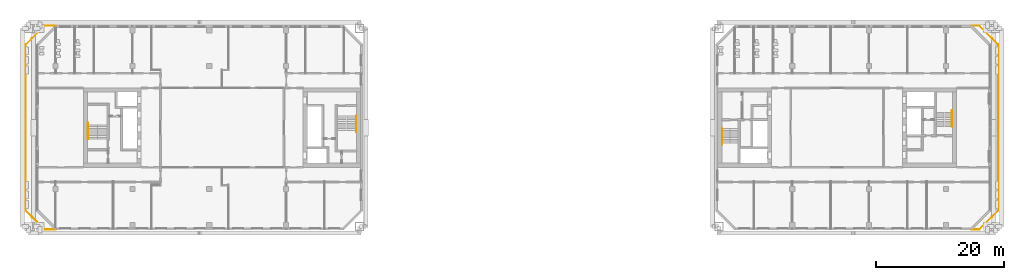
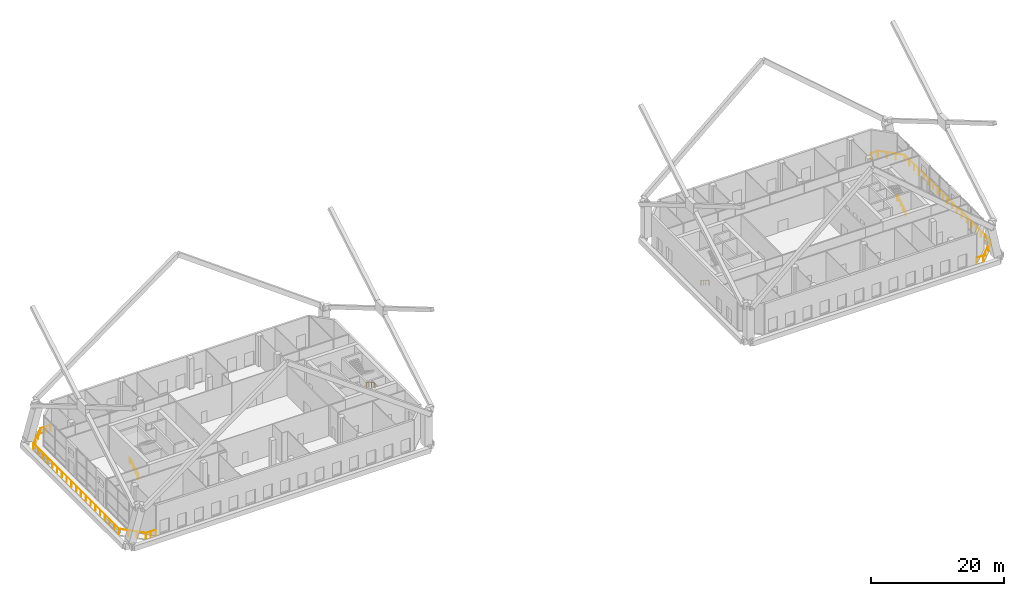
# One storey, part 19 of 20: 6 railings.
"""IFC4 building model written with IfcOpenShell, lengths in metres."""

from ifc_helpers import new_model, si_unit, direction, frame, origin, origin_2d, place, context, subcontext, project, spatial, circle, extrude, material, type_object, element, save


model = new_model("IFC4")

# Units and contexts
model_context = context("Model", 3, precision=1e-05, world=origin(), true_north=direction((0.0, 1.0)))
body_context = subcontext(model_context, "Body", "Model", "MODEL_VIEW")
ifc_project = project(units=[si_unit("LENGTHUNIT", "METRE"), si_unit("AREAUNIT", "SQUARE_METRE"), si_unit("VOLUMEUNIT", "CUBIC_METRE"), si_unit("PLANEANGLEUNIT", "RADIAN"), si_unit("MASSUNIT", "GRAM", prefix="KILO")], contexts=[model_context])

# Site, building, storey
site_placement = place(None, origin())
site = spatial("IfcSite", under=ifc_project, at=site_placement, CompositionType="ELEMENT")
building_placement = place(site_placement, origin())
building = spatial("IfcBuilding", under=site, at=building_placement, Name="Tuart Gate Housing", CompositionType="ELEMENT")
storey_placement = place(building_placement, frame((0.0, 0.0, 90.199951171875)))
storey = spatial("IfcBuildingStorey", under=building, at=storey_placement, Name="L25", CompositionType="ELEMENT", Elevation=90.199951171875)

# Railings
ifc_material_1 = material(Name="Stainless steel", Category="steel")
railing_type_1 = type_object("IfcRailingType", Name="Stair handrail 900", PredefinedType="HANDRAIL", material=ifc_material_1)
railing_1_placement = place(storey_placement, frame((74.929931640625, 71.800048828125, 0.17236328125)))
element("IfcRailing", 1, at=railing_1_placement, inside=storey, type_object=railing_type_1, Name="Stair handrail SA1.1", PredefinedType="HANDRAIL", context=body_context, shape_type="SweptSolid", body=[
    extrude(circle(Radius=0.02392578125, at=origin_2d()), frame((0.0, 0.0, 0.8759765625), z_axis=(0.0, -0.85178898068, 0.523885037382), x_axis=(1.0, 0.0, 0.0)), (0.0, 0.0, 1.0), 2.629638671875),
    extrude(circle(Radius=0.02392578125, at=origin_2d()), frame((0.0, -2.239990234375, 2.25341796875), z_axis=(0.0, -1.0, 0.0), x_axis=(1.0, 0.0, 0.0)), (0.0, 0.0, 1.0), 0.300048828125),
    extrude(circle(Radius=0.02099609375, at=origin_2d()), origin(), (0.0, 0.0, 1.0), 0.851806640625),
    extrude(circle(Radius=0.02099609375, at=origin_2d()), frame((0.0, -0.74658203125, 0.459228515625)), (0.0, 0.0, 1.0), 0.851806640625),
    extrude(circle(Radius=0.02099609375, at=origin_2d()), frame((0.0, -1.493408203125, 0.91845703125)), (0.0, 0.0, 1.0), 0.851806640625),
    extrude(circle(Radius=0.02099609375, at=origin_2d()), frame((0.0, -2.239990234375, 1.377685546875)), (0.0, 0.0, 1.0), 0.851806640625),
    extrude(circle(Radius=0.02099609375, at=origin_2d()), frame((0.0, -2.5400390625, 1.377685546875)), (0.0, 0.0, 1.0), 0.851806640625),
])
railing_2_placement = place(storey_placement, frame((33.070068359375, 68.199951171875, 0.17236328125)))
element("IfcRailing", 2, at=railing_2_placement, inside=storey, type_object=railing_type_1, Name="Stair handrail SA2.1", PredefinedType="HANDRAIL", context=body_context, shape_type="SweptSolid", body=[
    extrude(circle(Radius=0.02392578125, at=origin_2d()), frame((0.0, 0.0, 0.8759765625), z_axis=(0.0, 0.85178898068, 0.523885037382), x_axis=(-1.0, 0.0, 0.0)), (0.0, 0.0, 1.0), 2.629638671875),
    extrude(circle(Radius=0.02392578125, at=origin_2d()), frame((0.0, 2.239990234375, 2.25341796875), z_axis=(0.0, 1.0, 0.0), x_axis=(-1.0, 0.0, 0.0)), (0.0, 0.0, 1.0), 0.300048828125),
    extrude(circle(Radius=0.02099609375, at=origin_2d()), origin(), (0.0, 0.0, 1.0), 0.851806640625),
    extrude(circle(Radius=0.02099609375, at=origin_2d()), frame((0.0, 0.74658203125, 0.459228515625)), (0.0, 0.0, 1.0), 0.851806640625),
    extrude(circle(Radius=0.02099609375, at=origin_2d()), frame((0.0, 1.493408203125, 0.91845703125)), (0.0, 0.0, 1.0), 0.851806640625),
    extrude(circle(Radius=0.02099609375, at=origin_2d()), frame((0.0, 2.239990234375, 1.377685546875)), (0.0, 0.0, 1.0), 0.851806640625),
    extrude(circle(Radius=0.02099609375, at=origin_2d()), frame((0.0, 2.5400390625, 1.377685546875)), (0.0, 0.0, 1.0), 0.851806640625),
])
railing_3_placement = place(storey_placement, frame((132.070068359375, 69.85009765625, 0.17236328125)))
element("IfcRailing", 3, at=railing_3_placement, inside=storey, type_object=railing_type_1, Name="Stair handrail SB1.1", PredefinedType="HANDRAIL", context=body_context, shape_type="SweptSolid", body=[
    extrude(circle(Radius=0.02392578125, at=origin_2d()), frame((0.0, 0.0, 0.8759765625), z_axis=(0.0, -0.85178898068, 0.523885037382), x_axis=(1.0, 0.0, 0.0)), (0.0, 0.0, 1.0), 2.629638671875),
    extrude(circle(Radius=0.02392578125, at=origin_2d()), frame((0.0, -2.239990234375, 2.25341796875), z_axis=(0.0, -1.0, 0.0), x_axis=(1.0, 0.0, 0.0)), (0.0, 0.0, 1.0), 0.300048828125),
    extrude(circle(Radius=0.02099609375, at=origin_2d()), origin(), (0.0, 0.0, 1.0), 0.851806640625),
    extrude(circle(Radius=0.02099609375, at=origin_2d()), frame((0.0, -0.74658203125, 0.459228515625)), (0.0, 0.0, 1.0), 0.851806640625),
    extrude(circle(Radius=0.02099609375, at=origin_2d()), frame((0.0, -1.493408203125, 0.91845703125)), (0.0, 0.0, 1.0), 0.851806640625),
    extrude(circle(Radius=0.02099609375, at=origin_2d()), frame((0.0, -2.239990234375, 1.377685546875)), (0.0, 0.0, 1.0), 0.851806640625),
    extrude(circle(Radius=0.02099609375, at=origin_2d()), frame((0.0, -2.5400390625, 1.377685546875)), (0.0, 0.0, 1.0), 0.851806640625),
])
railing_4_placement = place(storey_placement, frame((167.929931640625, 70.14990234375, 0.17236328125)))
element("IfcRailing", 4, at=railing_4_placement, inside=storey, type_object=railing_type_1, Name="Stair handrail SB2.1", PredefinedType="HANDRAIL", context=body_context, shape_type="SweptSolid", body=[
    extrude(circle(Radius=0.02392578125, at=origin_2d()), frame((0.0, 0.0, 0.8759765625), z_axis=(0.0, 0.85178898068, 0.523885037382), x_axis=(-1.0, 0.0, 0.0)), (0.0, 0.0, 1.0), 2.629638671875),
    extrude(circle(Radius=0.02392578125, at=origin_2d()), frame((0.0, 2.239990234375, 2.25341796875), z_axis=(0.0, 1.0, 0.0), x_axis=(-1.0, 0.0, 0.0)), (0.0, 0.0, 1.0), 0.300048828125),
    extrude(circle(Radius=0.02099609375, at=origin_2d()), origin(), (0.0, 0.0, 1.0), 0.851806640625),
    extrude(circle(Radius=0.02099609375, at=origin_2d()), frame((0.0, 0.74658203125, 0.459228515625)), (0.0, 0.0, 1.0), 0.851806640625),
    extrude(circle(Radius=0.02099609375, at=origin_2d()), frame((0.0, 1.493408203125, 0.91845703125)), (0.0, 0.0, 1.0), 0.851806640625),
    extrude(circle(Radius=0.02099609375, at=origin_2d()), frame((0.0, 2.239990234375, 1.377685546875)), (0.0, 0.0, 1.0), 0.851806640625),
    extrude(circle(Radius=0.02099609375, at=origin_2d()), frame((0.0, 2.5400390625, 1.377685546875)), (0.0, 0.0, 1.0), 0.851806640625),
])
ifc_material_2 = material(Name="Steel and laminated glass", Category="steel")
railing_type_2 = type_object("IfcRailingType", Name="Terrace guard 1100", PredefinedType="GUARDRAIL", material=ifc_material_2)
railing_5_placement = place(storey_placement, frame((28.0, 85.89990234375, 0.0)))
element("IfcRailing", 5, at=railing_5_placement, inside=storey, type_object=railing_type_2, Name="Terrace guard A", PredefinedType="GUARDRAIL", context=body_context, shape_type="SweptSolid", body=[
    extrude(circle(Radius=0.02392578125, at=origin_2d()), frame((0.0, 0.0, 1.076171875), z_axis=(-1.0, 0.0, 0.0), x_axis=(0.0, -1.0, 0.0)), (0.0, 0.0, 1.0), 1.70849609375),
    extrude(circle(Radius=0.02392578125, at=origin_2d()), frame((-1.70849609375, 0.0, 1.076171875), z_axis=(-0.707106781187, -0.707106781187, 0.0), x_axis=(0.707106781187, -0.707106781187, 0.0)), (0.0, 0.0, 1.0), 4.15966796875),
    extrude(circle(Radius=0.02392578125, at=origin_2d()), frame((-4.64990234375, -2.94140625, 1.076171875), z_axis=(0.0, -1.0, 0.0), x_axis=(1.0, 0.0, 0.0)), (0.0, 0.0, 1.0), 25.9169921875),
    extrude(circle(Radius=0.02392578125, at=origin_2d()), frame((-4.64990234375, -28.8583984375, 1.076171875), z_axis=(0.707106781187, -0.707106781187, 0.0), x_axis=(0.707106781187, 0.707106781187, 0.0)), (0.0, 0.0, 1.0), 4.15966796875),
    extrude(circle(Radius=0.02392578125, at=origin_2d()), frame((-1.70849609375, -31.7998046875, 1.076171875), z_axis=(1.0, 0.0, 0.0), x_axis=(0.0, 1.0, 0.0)), (0.0, 0.0, 1.0), 1.70849609375),
    extrude(circle(Radius=0.02099609375, at=origin_2d()), origin(), (0.0, 0.0, 1.0), 1.052001953125),
    extrude(circle(Radius=0.02099609375, at=origin_2d()), frame((-0.854248046875, 0.0, 0.0)), (0.0, 0.0, 1.0), 1.052001953125),
    extrude(circle(Radius=0.02099609375, at=origin_2d()), frame((-1.70849609375, 0.0, 0.0)), (0.0, 0.0, 1.0), 1.052001953125),
    extrude(circle(Radius=0.02099609375, at=origin_2d()), frame((-2.68896484375, -0.98046875, 0.0)), (0.0, 0.0, 1.0), 1.052001953125),
    extrude(circle(Radius=0.02099609375, at=origin_2d()), frame((-3.66943359375, -1.9609375, 0.0)), (0.0, 0.0, 1.0), 1.052001953125),
    extrude(circle(Radius=0.02099609375, at=origin_2d()), frame((-4.64990234375, -2.94140625, 0.0)), (0.0, 0.0, 1.0), 1.052001953125),
    extrude(circle(Radius=0.02099609375, at=origin_2d()), frame((-4.64990234375, -4.38134765625, 0.0)), (0.0, 0.0, 1.0), 1.052001953125),
    extrude(circle(Radius=0.02099609375, at=origin_2d()), frame((-4.64990234375, -5.821044921875, 0.0)), (0.0, 0.0, 1.0), 1.052001953125),
    extrude(circle(Radius=0.02099609375, at=origin_2d()), frame((-4.64990234375, -7.260986328125, 0.0)), (0.0, 0.0, 1.0), 1.052001953125),
    extrude(circle(Radius=0.02099609375, at=origin_2d()), frame((-4.64990234375, -8.70068359375, 0.0)), (0.0, 0.0, 1.0), 1.052001953125),
    extrude(circle(Radius=0.02099609375, at=origin_2d()), frame((-4.64990234375, -10.140625, 0.0)), (0.0, 0.0, 1.0), 1.052001953125),
    extrude(circle(Radius=0.02099609375, at=origin_2d()), frame((-4.64990234375, -11.580322265625, 0.0)), (0.0, 0.0, 1.0), 1.052001953125),
    extrude(circle(Radius=0.02099609375, at=origin_2d()), frame((-4.64990234375, -13.020263671875, 0.0)), (0.0, 0.0, 1.0), 1.052001953125),
    extrude(circle(Radius=0.02099609375, at=origin_2d()), frame((-4.64990234375, -14.4599609375, 0.0)), (0.0, 0.0, 1.0), 1.052001953125),
    extrude(circle(Radius=0.02099609375, at=origin_2d()), frame((-4.64990234375, -15.89990234375, 0.0)), (0.0, 0.0, 1.0), 1.052001953125),
    extrude(circle(Radius=0.02099609375, at=origin_2d()), frame((-4.64990234375, -17.33984375, 0.0)), (0.0, 0.0, 1.0), 1.052001953125),
    extrude(circle(Radius=0.02099609375, at=origin_2d()), frame((-4.64990234375, -18.779541015625, 0.0)), (0.0, 0.0, 1.0), 1.052001953125),
    extrude(circle(Radius=0.02099609375, at=origin_2d()), frame((-4.64990234375, -20.219482421875, 0.0)), (0.0, 0.0, 1.0), 1.052001953125),
    extrude(circle(Radius=0.02099609375, at=origin_2d()), frame((-4.64990234375, -21.6591796875, 0.0)), (0.0, 0.0, 1.0), 1.052001953125),
    extrude(circle(Radius=0.02099609375, at=origin_2d()), frame((-4.64990234375, -23.09912109375, 0.0)), (0.0, 0.0, 1.0), 1.052001953125),
    extrude(circle(Radius=0.02099609375, at=origin_2d()), frame((-4.64990234375, -24.538818359375, 0.0)), (0.0, 0.0, 1.0), 1.052001953125),
    extrude(circle(Radius=0.02099609375, at=origin_2d()), frame((-4.64990234375, -25.978759765625, 0.0)), (0.0, 0.0, 1.0), 1.052001953125),
    extrude(circle(Radius=0.02099609375, at=origin_2d()), frame((-4.64990234375, -27.41845703125, 0.0)), (0.0, 0.0, 1.0), 1.052001953125),
    extrude(circle(Radius=0.02099609375, at=origin_2d()), frame((-4.64990234375, -28.8583984375, 0.0)), (0.0, 0.0, 1.0), 1.052001953125),
    extrude(circle(Radius=0.02099609375, at=origin_2d()), frame((-3.66943359375, -29.8388671875, 0.0)), (0.0, 0.0, 1.0), 1.052001953125),
    extrude(circle(Radius=0.02099609375, at=origin_2d()), frame((-2.68896484375, -30.8193359375, 0.0)), (0.0, 0.0, 1.0), 1.052001953125),
    extrude(circle(Radius=0.02099609375, at=origin_2d()), frame((-1.70849609375, -31.7998046875, 0.0)), (0.0, 0.0, 1.0), 1.052001953125),
    extrude(circle(Radius=0.02099609375, at=origin_2d()), frame((-0.854248046875, -31.7998046875, 0.0)), (0.0, 0.0, 1.0), 1.052001953125),
    extrude(circle(Radius=0.02099609375, at=origin_2d()), frame((0.0, -31.7998046875, 0.0)), (0.0, 0.0, 1.0), 1.052001953125),
])
railing_6_placement = place(storey_placement, frame((171.0, 54.10009765625, 0.0)))
element("IfcRailing", 6, at=railing_6_placement, inside=storey, type_object=railing_type_2, Name="Terrace guard B", PredefinedType="GUARDRAIL", context=body_context, shape_type="SweptSolid", body=[
    extrude(circle(Radius=0.02392578125, at=origin_2d()), frame((0.0, 0.0, 1.076171875), z_axis=(1.0, 0.0, 0.0), x_axis=(0.0, 1.0, 0.0)), (0.0, 0.0, 1.0), 1.20849609375),
    extrude(circle(Radius=0.02392578125, at=origin_2d()), frame((1.20849609375, 0.0, 1.076171875), z_axis=(0.707106781187, 0.707106781187, 0.0), x_axis=(-0.707106781187, 0.707106781187, 0.0)), (0.0, 0.0, 1.0), 4.15966796875),
    extrude(circle(Radius=0.02392578125, at=origin_2d()), frame((4.14990234375, 2.94140625, 1.076171875), z_axis=(0.0, 1.0, 0.0), x_axis=(-1.0, 0.0, 0.0)), (0.0, 0.0, 1.0), 25.9169921875),
    extrude(circle(Radius=0.02392578125, at=origin_2d()), frame((4.14990234375, 28.8583984375, 1.076171875), z_axis=(-0.707106781187, 0.707106781187, 0.0), x_axis=(-0.707106781187, -0.707106781187, 0.0)), (0.0, 0.0, 1.0), 4.15966796875),
    extrude(circle(Radius=0.02392578125, at=origin_2d()), frame((1.20849609375, 31.7998046875, 1.076171875), z_axis=(-1.0, 0.0, 0.0), x_axis=(0.0, -1.0, 0.0)), (0.0, 0.0, 1.0), 1.20849609375),
    extrude(circle(Radius=0.02099609375, at=origin_2d()), origin(), (0.0, 0.0, 1.0), 1.052001953125),
    extrude(circle(Radius=0.02099609375, at=origin_2d()), frame((1.20849609375, 0.0, 0.0)), (0.0, 0.0, 1.0), 1.052001953125),
    extrude(circle(Radius=0.02099609375, at=origin_2d()), frame((2.18896484375, 0.98046875, 0.0)), (0.0, 0.0, 1.0), 1.052001953125),
    extrude(circle(Radius=0.02099609375, at=origin_2d()), frame((3.16943359375, 1.9609375, 0.0)), (0.0, 0.0, 1.0), 1.052001953125),
    extrude(circle(Radius=0.02099609375, at=origin_2d()), frame((4.14990234375, 2.94140625, 0.0)), (0.0, 0.0, 1.0), 1.052001953125),
    extrude(circle(Radius=0.02099609375, at=origin_2d()), frame((4.14990234375, 4.38134765625, 0.0)), (0.0, 0.0, 1.0), 1.052001953125),
    extrude(circle(Radius=0.02099609375, at=origin_2d()), frame((4.14990234375, 5.821044921875, 0.0)), (0.0, 0.0, 1.0), 1.052001953125),
    extrude(circle(Radius=0.02099609375, at=origin_2d()), frame((4.14990234375, 7.260986328125, 0.0)), (0.0, 0.0, 1.0), 1.052001953125),
    extrude(circle(Radius=0.02099609375, at=origin_2d()), frame((4.14990234375, 8.70068359375, 0.0)), (0.0, 0.0, 1.0), 1.052001953125),
    extrude(circle(Radius=0.02099609375, at=origin_2d()), frame((4.14990234375, 10.140625, 0.0)), (0.0, 0.0, 1.0), 1.052001953125),
    extrude(circle(Radius=0.02099609375, at=origin_2d()), frame((4.14990234375, 11.580322265625, 0.0)), (0.0, 0.0, 1.0), 1.052001953125),
    extrude(circle(Radius=0.02099609375, at=origin_2d()), frame((4.14990234375, 13.020263671875, 0.0)), (0.0, 0.0, 1.0), 1.052001953125),
    extrude(circle(Radius=0.02099609375, at=origin_2d()), frame((4.14990234375, 14.4599609375, 0.0)), (0.0, 0.0, 1.0), 1.052001953125),
    extrude(circle(Radius=0.02099609375, at=origin_2d()), frame((4.14990234375, 15.89990234375, 0.0)), (0.0, 0.0, 1.0), 1.052001953125),
    extrude(circle(Radius=0.02099609375, at=origin_2d()), frame((4.14990234375, 17.33984375, 0.0)), (0.0, 0.0, 1.0), 1.052001953125),
    extrude(circle(Radius=0.02099609375, at=origin_2d()), frame((4.14990234375, 18.779541015625, 0.0)), (0.0, 0.0, 1.0), 1.052001953125),
    extrude(circle(Radius=0.02099609375, at=origin_2d()), frame((4.14990234375, 20.219482421875, 0.0)), (0.0, 0.0, 1.0), 1.052001953125),
    extrude(circle(Radius=0.02099609375, at=origin_2d()), frame((4.14990234375, 21.6591796875, 0.0)), (0.0, 0.0, 1.0), 1.052001953125),
    extrude(circle(Radius=0.02099609375, at=origin_2d()), frame((4.14990234375, 23.09912109375, 0.0)), (0.0, 0.0, 1.0), 1.052001953125),
    extrude(circle(Radius=0.02099609375, at=origin_2d()), frame((4.14990234375, 24.538818359375, 0.0)), (0.0, 0.0, 1.0), 1.052001953125),
    extrude(circle(Radius=0.02099609375, at=origin_2d()), frame((4.14990234375, 25.978759765625, 0.0)), (0.0, 0.0, 1.0), 1.052001953125),
    extrude(circle(Radius=0.02099609375, at=origin_2d()), frame((4.14990234375, 27.41845703125, 0.0)), (0.0, 0.0, 1.0), 1.052001953125),
    extrude(circle(Radius=0.02099609375, at=origin_2d()), frame((4.14990234375, 28.8583984375, 0.0)), (0.0, 0.0, 1.0), 1.052001953125),
    extrude(circle(Radius=0.02099609375, at=origin_2d()), frame((3.16943359375, 29.8388671875, 0.0)), (0.0, 0.0, 1.0), 1.052001953125),
    extrude(circle(Radius=0.02099609375, at=origin_2d()), frame((2.18896484375, 30.8193359375, 0.0)), (0.0, 0.0, 1.0), 1.052001953125),
    extrude(circle(Radius=0.02099609375, at=origin_2d()), frame((1.20849609375, 31.7998046875, 0.0)), (0.0, 0.0, 1.0), 1.052001953125),
    extrude(circle(Radius=0.02099609375, at=origin_2d()), frame((0.0, 31.7998046875, 0.0)), (0.0, 0.0, 1.0), 1.052001953125),
])

save(model, "model.ifc")
